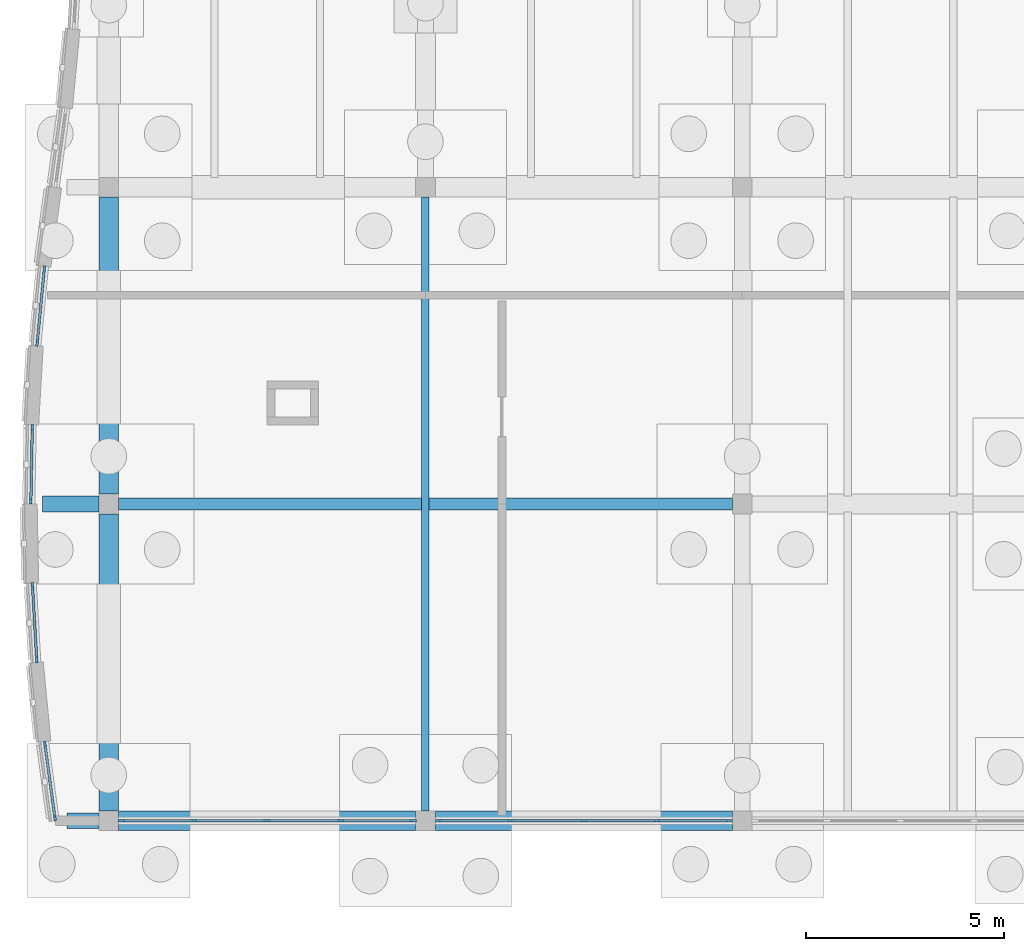
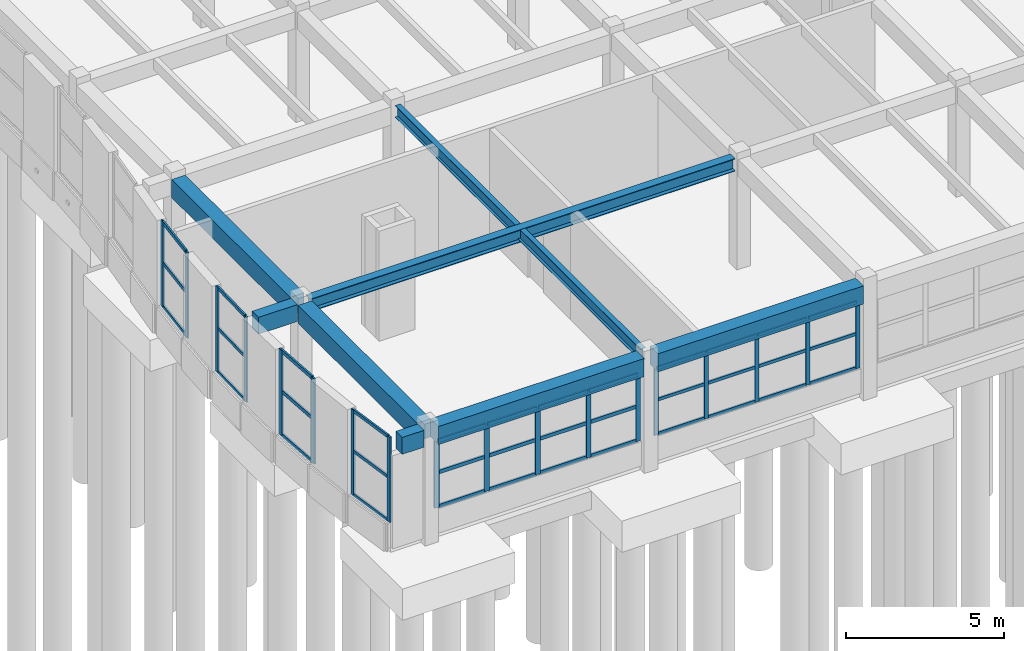
# One storey, part 13 of 99: 54 members, 8 beams, 6 elements without a shape of their own.
"""IFC4 building model written with IfcOpenShell, lengths in metres."""

from ifc_helpers import new_model, si_unit, direction, frame, origin, origin_2d, place, context, subcontext, project, spatial, rectangle, i_section, extrude, material, layer, layer_set, material_profile, profile_set, type_object, element, aggregate, save


model = new_model("IFC4")

# Units and contexts
model_context = context("Model", 3, precision=1e-05, world=origin(), true_north=direction((0.0, 1.0)))
body_context = subcontext(model_context, "Body", "Model", "MODEL_VIEW")
ifc_project = project(units=[si_unit("LENGTHUNIT", "METRE"), si_unit("AREAUNIT", "SQUARE_METRE"), si_unit("VOLUMEUNIT", "CUBIC_METRE"), si_unit("PLANEANGLEUNIT", "RADIAN"), si_unit("MASSUNIT", "GRAM", prefix="KILO")], contexts=[model_context])

# Site, building, storey
site_placement = place(None, origin())
site = spatial("IfcSite", under=ifc_project, at=site_placement, CompositionType="ELEMENT")
building_placement = place(site_placement, origin())
building = spatial("IfcBuilding", under=site, at=building_placement, Name="Tonlespit Floodbar School", CompositionType="ELEMENT")
storey_placement = place(building_placement, origin())
storey = spatial("IfcBuildingStorey", under=building, at=storey_placement, Name="L00", CompositionType="ELEMENT", Elevation=0.0)

# Beams
ifc_material_1 = material(Name="Concrete C40/50", Category="concrete")
ifc_material_profile_1 = material_profile(ifc_material_1, rectangle(XDim=0.39990234375, YDim=0.64990234375, at=origin_2d()), Name="RC 400x650")
ifc_profile_set_1 = profile_set([ifc_material_profile_1], Name="Concrete C40/50")
beam_type_1 = type_object("IfcBeamType", Name="Beam_RC_400x650", PredefinedType="BEAM", material=ifc_profile_set_1)
beam_1_placement = place(storey_placement, frame((3.75, 4.0, 3.9150390625), z_axis=(-1.0, 0.0, 0.0), x_axis=(0.0, -1.0, 0.0)))
element("IfcBeam", 1, at=beam_1_placement, inside=storey, type_object=beam_type_1, Name="L00 west street wave cantilever bracket", PredefinedType="BEAM", context=body_context, shape_type="SweptSolid", body=[
    extrude(rectangle(XDim=0.39990234375, YDim=0.64990234375, at=origin_2d()), origin(), (0.0, 0.0, 1.0), 0.800048828125),
])
beam_2_placement = place(storey_placement, frame((3.75, 12.0, 3.9150390625), z_axis=(-1.0, 0.0, 0.0), x_axis=(0.0, -1.0, 0.0)))
element("IfcBeam", 2, at=beam_2_placement, inside=storey, type_object=beam_type_1, Name="L00 west street wave cantilever bracket", PredefinedType="BEAM", context=body_context, shape_type="SweptSolid", body=[
    extrude(rectangle(XDim=0.39990234375, YDim=0.64990234375, at=origin_2d()), origin(), (0.0, 0.0, 1.0), 1.419189453125),
])
ifc_material_2 = material(Name="Steel S355", Category="steel")
ifc_material_profile_2 = material_profile(ifc_material_2, i_section(OverallWidth=0.18994140625, OverallDepth=0.449951171875, WebThickness=0.009521484375, FlangeThickness=0.0146484375, at=origin_2d()), Name="IPE 450")
ifc_profile_set_2 = profile_set([ifc_material_profile_2], Name="Steel S355")
beam_type_2 = type_object("IfcBeamType", Name="Beam_STL_IPE450", PredefinedType="BEAM", material=ifc_profile_set_2)
beam_3_placement = place(storey_placement, frame((12.0, 4.25, 4.014892578125), z_axis=(0.0, 1.0, 0.0), x_axis=(-1.0, 0.0, 0.0)))
element("IfcBeam", 3, at=beam_3_placement, inside=storey, type_object=beam_type_2, Name="L00 girder 0172", PredefinedType="BEAM", context=body_context, shape_type="SweptSolid", body=[
    extrude(i_section(OverallWidth=0.18994140625, OverallDepth=0.449951171875, WebThickness=0.009521484375, FlangeThickness=0.0146484375, at=origin_2d()), origin(), (0.0, 0.0, 1.0), 15.5),
])

# Curtain wall, members
ifc_material_3 = material(Name="Anodised Aluminium", Category="aluminium")
ifc_layer_1 = layer(ifc_material_3, 0.159912109375)
ifc_layer_set_1 = layer_set([ifc_layer_1], Name="Anodised Aluminium")
curtain_wall_type_1 = type_object("IfcCurtainWallType", Name="CurtainWall_1950x3300", PredefinedType="NOTDEFINED", material=ifc_layer_set_1)
curtain_wall_1_placement = place(storey_placement, origin())
curtain_wall_1 = element("IfcCurtainWall", 4, at=curtain_wall_1_placement, inside=storey, type_object=curtain_wall_type_1, Name="L00 unitised curtain wall 0496", PredefinedType="NOTDEFINED")
ifc_material_profile_3 = material_profile(ifc_material_3, rectangle(XDim=0.06494140625, YDim=0.14990234375, at=origin_2d()), Name="ALU M65x150")
ifc_profile_set_3 = profile_set([ifc_material_profile_3], Name="Anodised Aluminium")
member_type_1 = type_object("IfcMemberType", Name="CW_Mullion_65x150", PredefinedType="MULLION", material=ifc_profile_set_3)
member_1_placement = place(storey_placement, frame((2.64013671875, 4.07177734375, 0.949951171875), z_axis=(0.0, 0.0, 1.0), x_axis=(-0.990894096494, -0.134643564765, 0.0)))
member_1 = element("IfcMember", 5, at=member_1_placement, type_object=member_type_1, Name="CW-01 mullion 1", PredefinedType="MULLION", context=body_context, shape_type="SweptSolid", body=[
    extrude(rectangle(XDim=0.06494140625, YDim=0.14990234375, at=origin_2d()), origin(), (0.0, 0.0, 1.0), 3.2900390625),
])
member_2_placement = place(storey_placement, frame((2.387939453125, 5.92822265625, 0.949951171875), z_axis=(0.0, 0.0, 1.0), x_axis=(-0.990894096494, -0.134643564765, 0.0)))
member_2 = element("IfcMember", 6, at=member_2_placement, type_object=member_type_1, Name="CW-01 mullion 2", PredefinedType="MULLION", context=body_context, shape_type="SweptSolid", body=[
    extrude(rectangle(XDim=0.06494140625, YDim=0.14990234375, at=origin_2d()), origin(), (0.0, 0.0, 1.0), 3.2900390625),
])

ifc_layer_2 = layer(ifc_material_3, 0.159912109375)
ifc_layer_set_2 = layer_set([ifc_layer_2], Name="Anodised Aluminium")
curtain_wall_type_2 = type_object("IfcCurtainWallType", Name="CurtainWall_1900x3300", PredefinedType="NOTDEFINED", material=ifc_layer_set_2)
curtain_wall_2_placement = place(storey_placement, origin())
curtain_wall_2 = element("IfcCurtainWall", 7, at=curtain_wall_2_placement, inside=storey, type_object=curtain_wall_type_2, Name="L00 unitised curtain wall 0498", PredefinedType="NOTDEFINED")
member_3_placement = place(storey_placement, frame((2.0322265625, 12.072509765625, 0.949951171875), z_axis=(0.0, 0.0, 1.0), x_axis=(-0.999815370969, 0.019215201653, 0.0)))
member_3 = element("IfcMember", 8, at=member_3_placement, type_object=member_type_1, Name="CW-02 mullion 1", PredefinedType="MULLION", context=body_context, shape_type="SweptSolid", body=[
    extrude(rectangle(XDim=0.06494140625, YDim=0.14990234375, at=origin_2d()), origin(), (0.0, 0.0, 1.0), 3.2900390625),
])
member_4_placement = place(storey_placement, frame((2.06787109375, 13.927490234375, 0.949951171875), z_axis=(0.0, 0.0, 1.0), x_axis=(-0.999815370969, 0.019215201653, 0.0)))
member_4 = element("IfcMember", 9, at=member_4_placement, type_object=member_type_1, Name="CW-02 mullion 2", PredefinedType="MULLION", context=body_context, shape_type="SweptSolid", body=[
    extrude(rectangle(XDim=0.06494140625, YDim=0.14990234375, at=origin_2d()), origin(), (0.0, 0.0, 1.0), 3.2900390625),
])

ifc_layer_3 = layer(ifc_material_3, 0.159912109375)
ifc_layer_set_3 = layer_set([ifc_layer_3], Name="Anodised Aluminium")
curtain_wall_type_3 = type_object("IfcCurtainWallType", Name="CurtainWall_7400x2600", PredefinedType="NOTDEFINED", material=ifc_layer_set_3)
curtain_wall_3_placement = place(storey_placement, origin())
curtain_wall_3 = element("IfcCurtainWall", 10, at=curtain_wall_3_placement, inside=storey, type_object=curtain_wall_type_3, Name="L00 unitised curtain wall 0506", PredefinedType="NOTDEFINED")
member_5_placement = place(storey_placement, frame((19.677490234375, 4.0, 0.949951171875), z_axis=(0.0, 0.0, 1.0), x_axis=(0.0, -1.0, 0.0)))
member_5 = element("IfcMember", 11, at=member_5_placement, type_object=member_type_1, Name="CW-52 mullion 1", PredefinedType="MULLION", context=body_context, shape_type="SweptSolid", body=[
    extrude(rectangle(XDim=0.06494140625, YDim=0.14990234375, at=origin_2d()), origin(), (0.0, 0.0, 1.0), 2.590087890625),
])
member_6_placement = place(storey_placement, frame((17.85498046875, 4.0, 0.949951171875), z_axis=(0.0, 0.0, 1.0), x_axis=(0.0, -1.0, 0.0)))
member_6 = element("IfcMember", 12, at=member_6_placement, type_object=member_type_1, Name="CW-52 mullion 2", PredefinedType="MULLION", context=body_context, shape_type="SweptSolid", body=[
    extrude(rectangle(XDim=0.06494140625, YDim=0.14990234375, at=origin_2d()), origin(), (0.0, 0.0, 1.0), 2.590087890625),
])
member_7_placement = place(storey_placement, frame((16.0, 4.0, 0.949951171875), z_axis=(0.0, 0.0, 1.0), x_axis=(0.0, -1.0, 0.0)))
member_7 = element("IfcMember", 13, at=member_7_placement, type_object=member_type_1, Name="CW-52 mullion 3", PredefinedType="MULLION", context=body_context, shape_type="SweptSolid", body=[
    extrude(rectangle(XDim=0.06494140625, YDim=0.14990234375, at=origin_2d()), origin(), (0.0, 0.0, 1.0), 2.590087890625),
])
member_8_placement = place(storey_placement, frame((14.14501953125, 4.0, 0.949951171875), z_axis=(0.0, 0.0, 1.0), x_axis=(0.0, -1.0, 0.0)))
member_8 = element("IfcMember", 14, at=member_8_placement, type_object=member_type_1, Name="CW-52 mullion 4", PredefinedType="MULLION", context=body_context, shape_type="SweptSolid", body=[
    extrude(rectangle(XDim=0.06494140625, YDim=0.14990234375, at=origin_2d()), origin(), (0.0, 0.0, 1.0), 2.590087890625),
])
member_9_placement = place(storey_placement, frame((12.322509765625, 4.0, 0.949951171875), z_axis=(0.0, 0.0, 1.0), x_axis=(0.0, -1.0, 0.0)))
member_9 = element("IfcMember", 15, at=member_9_placement, type_object=member_type_1, Name="CW-52 mullion 5", PredefinedType="MULLION", context=body_context, shape_type="SweptSolid", body=[
    extrude(rectangle(XDim=0.06494140625, YDim=0.14990234375, at=origin_2d()), origin(), (0.0, 0.0, 1.0), 2.590087890625),
])

curtain_wall_4_placement = place(storey_placement, origin())
curtain_wall_4 = element("IfcCurtainWall", 16, at=curtain_wall_4_placement, inside=storey, type_object=curtain_wall_type_2, Name="L00 unitised curtain wall 0497", PredefinedType="NOTDEFINED")
ifc_material_profile_4 = material_profile(ifc_material_3, rectangle(XDim=0.06494140625, YDim=0.179931640625, at=origin_2d()), Name="ALU M65x180")
ifc_profile_set_4 = profile_set([ifc_material_profile_4], Name="Anodised Aluminium")
member_type_2 = type_object("IfcMemberType", Name="CW_Mullion_65x180", PredefinedType="MULLION", material=ifc_profile_set_4)
member_10_placement = place(storey_placement, frame((2.180908203125, 8.072265625, 0.949951171875), z_axis=(0.0, 0.0, 1.0), x_axis=(-0.998333381227, -0.057710137129, 0.0)))
member_10 = element("IfcMember", 17, at=member_10_placement, type_object=member_type_2, Name="CW-02 mullion 1", PredefinedType="MULLION", context=body_context, shape_type="SweptSolid", body=[
    extrude(rectangle(XDim=0.06494140625, YDim=0.179931640625, at=origin_2d()), origin(), (0.0, 0.0, 1.0), 3.2900390625),
])
member_11_placement = place(storey_placement, frame((2.073486328125, 9.927734375, 0.949951171875), z_axis=(0.0, 0.0, 1.0), x_axis=(-0.998333381227, -0.057710137129, 0.0)))
member_11 = element("IfcMember", 18, at=member_11_placement, type_object=member_type_2, Name="CW-02 mullion 2", PredefinedType="MULLION", context=body_context, shape_type="SweptSolid", body=[
    extrude(rectangle(XDim=0.06494140625, YDim=0.179931640625, at=origin_2d()), origin(), (0.0, 0.0, 1.0), 3.2900390625),
])

curtain_wall_5_placement = place(storey_placement, origin())
curtain_wall_5 = element("IfcCurtainWall", 19, at=curtain_wall_5_placement, inside=storey, type_object=curtain_wall_type_1, Name="L00 unitised curtain wall 0499", PredefinedType="NOTDEFINED")
member_12_placement = place(storey_placement, frame((2.19189453125, 16.072265625, 0.949951171875), z_axis=(0.0, 0.0, 1.0), x_axis=(-0.995362188546, 0.096198303585, 0.0)))
member_12 = element("IfcMember", 20, at=member_12_placement, type_object=member_type_2, Name="CW-01 mullion 1", PredefinedType="MULLION", context=body_context, shape_type="SweptSolid", body=[
    extrude(rectangle(XDim=0.06494140625, YDim=0.179931640625, at=origin_2d()), origin(), (0.0, 0.0, 1.0), 3.2900390625),
])
member_13_placement = place(storey_placement, frame((2.371337890625, 17.927734375, 0.949951171875), z_axis=(0.0, 0.0, 1.0), x_axis=(-0.995362188546, 0.096198303585, 0.0)))
member_13 = element("IfcMember", 21, at=member_13_placement, type_object=member_type_2, Name="CW-01 mullion 2", PredefinedType="MULLION", context=body_context, shape_type="SweptSolid", body=[
    extrude(rectangle(XDim=0.06494140625, YDim=0.179931640625, at=origin_2d()), origin(), (0.0, 0.0, 1.0), 3.2900390625),
])

curtain_wall_6_placement = place(storey_placement, origin())
curtain_wall_6 = element("IfcCurtainWall", 22, at=curtain_wall_6_placement, inside=storey, type_object=curtain_wall_type_3, Name="L00 unitised curtain wall 0507", PredefinedType="NOTDEFINED")
member_14_placement = place(storey_placement, frame((11.677490234375, 4.0, 0.949951171875), z_axis=(0.0, 0.0, 1.0), x_axis=(0.0, -1.0, 0.0)))
member_14 = element("IfcMember", 23, at=member_14_placement, type_object=member_type_2, Name="CW-52 mullion 1", PredefinedType="MULLION", context=body_context, shape_type="SweptSolid", body=[
    extrude(rectangle(XDim=0.06494140625, YDim=0.179931640625, at=origin_2d()), origin(), (0.0, 0.0, 1.0), 2.590087890625),
])
member_15_placement = place(storey_placement, frame((9.85498046875, 4.0, 0.949951171875), z_axis=(0.0, 0.0, 1.0), x_axis=(0.0, -1.0, 0.0)))
member_15 = element("IfcMember", 24, at=member_15_placement, type_object=member_type_2, Name="CW-52 mullion 2", PredefinedType="MULLION", context=body_context, shape_type="SweptSolid", body=[
    extrude(rectangle(XDim=0.06494140625, YDim=0.179931640625, at=origin_2d()), origin(), (0.0, 0.0, 1.0), 2.590087890625),
])
member_16_placement = place(storey_placement, frame((8.0, 4.0, 0.949951171875), z_axis=(0.0, 0.0, 1.0), x_axis=(0.0, -1.0, 0.0)))
member_16 = element("IfcMember", 25, at=member_16_placement, type_object=member_type_2, Name="CW-52 mullion 3", PredefinedType="MULLION", context=body_context, shape_type="SweptSolid", body=[
    extrude(rectangle(XDim=0.06494140625, YDim=0.179931640625, at=origin_2d()), origin(), (0.0, 0.0, 1.0), 2.590087890625),
])
member_17_placement = place(storey_placement, frame((6.14501953125, 4.0, 0.949951171875), z_axis=(0.0, 0.0, 1.0), x_axis=(0.0, -1.0, 0.0)))
member_17 = element("IfcMember", 26, at=member_17_placement, type_object=member_type_2, Name="CW-52 mullion 4", PredefinedType="MULLION", context=body_context, shape_type="SweptSolid", body=[
    extrude(rectangle(XDim=0.06494140625, YDim=0.179931640625, at=origin_2d()), origin(), (0.0, 0.0, 1.0), 2.590087890625),
])
member_18_placement = place(storey_placement, frame((4.322509765625, 4.0, 0.949951171875), z_axis=(0.0, 0.0, 1.0), x_axis=(0.0, -1.0, 0.0)))
member_18 = element("IfcMember", 27, at=member_18_placement, type_object=member_type_2, Name="CW-52 mullion 5", PredefinedType="MULLION", context=body_context, shape_type="SweptSolid", body=[
    extrude(rectangle(XDim=0.06494140625, YDim=0.179931640625, at=origin_2d()), origin(), (0.0, 0.0, 1.0), 2.590087890625),
])

# Member
ifc_material_profile_5 = material_profile(ifc_material_3, rectangle(XDim=0.06494140625, YDim=0.1201171875, at=origin_2d()), Name="ALU T65x120")
ifc_profile_set_5 = profile_set([ifc_material_profile_5], Name="Anodised Aluminium")
member_type_3 = type_object("IfcMemberType", Name="CW_Transom_65x120", PredefinedType="USERDEFINED", material=ifc_profile_set_5)
member_19_placement = place(storey_placement, frame((2.6357421875, 4.10400390625, 0.982421875), z_axis=(-0.1345950926, 0.990900681728, 0.0), x_axis=(-0.990900681728, -0.1345950926, 0.0)))
member_19 = element("IfcMember", 28, at=member_19_placement, type_object=member_type_3, Name="CW-01 transom 1.1", ObjectType="TRANSOM", PredefinedType="USERDEFINED", context=body_context, shape_type="SweptSolid", body=[
    extrude(rectangle(XDim=0.06494140625, YDim=0.1201171875, at=origin_2d()), origin(), (0.0, 0.0, 1.0), 1.808349609375),
])

member_20_placement = place(storey_placement, frame((2.6357421875, 4.10400390625, 2.660888671875), z_axis=(-0.1345950926, 0.990900681728, 0.0), x_axis=(-0.990900681728, -0.1345950926, 0.0)))
member_20 = element("IfcMember", 29, at=member_20_placement, type_object=member_type_3, Name="CW-01 transom 1.2", ObjectType="TRANSOM", PredefinedType="USERDEFINED", context=body_context, shape_type="SweptSolid", body=[
    extrude(rectangle(XDim=0.06494140625, YDim=0.1201171875, at=origin_2d()), origin(), (0.0, 0.0, 1.0), 1.808349609375),
])

member_21_placement = place(storey_placement, frame((2.6357421875, 4.10400390625, 4.20751953125), z_axis=(-0.1345950926, 0.990900681728, 0.0), x_axis=(-0.990900681728, -0.1345950926, 0.0)))
member_21 = element("IfcMember", 30, at=member_21_placement, type_object=member_type_3, Name="CW-01 transom 1.3", ObjectType="TRANSOM", PredefinedType="USERDEFINED", context=body_context, shape_type="SweptSolid", body=[
    extrude(rectangle(XDim=0.06494140625, YDim=0.1201171875, at=origin_2d()), origin(), (0.0, 0.0, 1.0), 1.808349609375),
])

aggregate(curtain_wall_1, [member_1, member_2, member_19, member_20, member_21])

member_22_placement = place(storey_placement, frame((2.032958984375, 12.10498046875, 0.982421875), z_axis=(0.019227214231, 0.99981514003, 0.0), x_axis=(-0.99981514003, 0.019227214231, 0.0)))
member_22 = element("IfcMember", 31, at=member_22_placement, type_object=member_type_3, Name="CW-02 transom 1.1", ObjectType="TRANSOM", PredefinedType="USERDEFINED", context=body_context, shape_type="SweptSolid", body=[
    extrude(rectangle(XDim=0.06494140625, YDim=0.1201171875, at=origin_2d()), origin(), (0.0, 0.0, 1.0), 1.790283203125),
])

member_23_placement = place(storey_placement, frame((2.032958984375, 12.10498046875, 2.660888671875), z_axis=(0.019227214231, 0.99981514003, 0.0), x_axis=(-0.99981514003, 0.019227214231, 0.0)))
member_23 = element("IfcMember", 32, at=member_23_placement, type_object=member_type_3, Name="CW-02 transom 1.2", ObjectType="TRANSOM", PredefinedType="USERDEFINED", context=body_context, shape_type="SweptSolid", body=[
    extrude(rectangle(XDim=0.06494140625, YDim=0.1201171875, at=origin_2d()), origin(), (0.0, 0.0, 1.0), 1.790283203125),
])

member_24_placement = place(storey_placement, frame((2.032958984375, 12.10498046875, 4.20751953125), z_axis=(0.019227214231, 0.99981514003, 0.0), x_axis=(-0.99981514003, 0.019227214231, 0.0)))
member_24 = element("IfcMember", 33, at=member_24_placement, type_object=member_type_3, Name="CW-02 transom 1.3", ObjectType="TRANSOM", PredefinedType="USERDEFINED", context=body_context, shape_type="SweptSolid", body=[
    extrude(rectangle(XDim=0.06494140625, YDim=0.1201171875, at=origin_2d()), origin(), (0.0, 0.0, 1.0), 1.790283203125),
])

aggregate(curtain_wall_2, [member_3, member_4, member_22, member_23, member_24])

member_25_placement = place(storey_placement, frame((19.64501953125, 4.0, 0.982421875), z_axis=(-1.0, 0.0, 0.0), x_axis=(0.0, -1.0, 0.0)))
member_25 = element("IfcMember", 34, at=member_25_placement, type_object=member_type_3, Name="CW-52 transom 1.1", ObjectType="TRANSOM", PredefinedType="USERDEFINED", context=body_context, shape_type="SweptSolid", body=[
    extrude(rectangle(XDim=0.06494140625, YDim=0.1201171875, at=origin_2d()), origin(), (0.0, 0.0, 1.0), 1.757568359375),
])

member_26_placement = place(storey_placement, frame((19.64501953125, 4.0, 2.296875), z_axis=(-1.0, 0.0, 0.0), x_axis=(0.0, -1.0, 0.0)))
member_26 = element("IfcMember", 35, at=member_26_placement, type_object=member_type_3, Name="CW-52 transom 1.2", ObjectType="TRANSOM", PredefinedType="USERDEFINED", context=body_context, shape_type="SweptSolid", body=[
    extrude(rectangle(XDim=0.06494140625, YDim=0.1201171875, at=origin_2d()), origin(), (0.0, 0.0, 1.0), 1.757568359375),
])

member_27_placement = place(storey_placement, frame((19.64501953125, 4.0, 3.507568359375), z_axis=(-1.0, 0.0, 0.0), x_axis=(0.0, -1.0, 0.0)))
member_27 = element("IfcMember", 36, at=member_27_placement, type_object=member_type_3, Name="CW-52 transom 1.3", ObjectType="TRANSOM", PredefinedType="USERDEFINED", context=body_context, shape_type="SweptSolid", body=[
    extrude(rectangle(XDim=0.06494140625, YDim=0.1201171875, at=origin_2d()), origin(), (0.0, 0.0, 1.0), 1.757568359375),
])

member_28_placement = place(storey_placement, frame((17.822509765625, 4.0, 0.982421875), z_axis=(-1.0, 0.0, 0.0), x_axis=(0.0, -1.0, 0.0)))
member_28 = element("IfcMember", 37, at=member_28_placement, type_object=member_type_3, Name="CW-52 transom 2.1", ObjectType="TRANSOM", PredefinedType="USERDEFINED", context=body_context, shape_type="SweptSolid", body=[
    extrude(rectangle(XDim=0.06494140625, YDim=0.1201171875, at=origin_2d()), origin(), (0.0, 0.0, 1.0), 1.7900390625),
])

member_29_placement = place(storey_placement, frame((17.822509765625, 4.0, 2.296875), z_axis=(-1.0, 0.0, 0.0), x_axis=(0.0, -1.0, 0.0)))
member_29 = element("IfcMember", 38, at=member_29_placement, type_object=member_type_3, Name="CW-52 transom 2.2", ObjectType="TRANSOM", PredefinedType="USERDEFINED", context=body_context, shape_type="SweptSolid", body=[
    extrude(rectangle(XDim=0.06494140625, YDim=0.1201171875, at=origin_2d()), origin(), (0.0, 0.0, 1.0), 1.7900390625),
])

member_30_placement = place(storey_placement, frame((17.822509765625, 4.0, 3.507568359375), z_axis=(-1.0, 0.0, 0.0), x_axis=(0.0, -1.0, 0.0)))
member_30 = element("IfcMember", 39, at=member_30_placement, type_object=member_type_3, Name="CW-52 transom 2.3", ObjectType="TRANSOM", PredefinedType="USERDEFINED", context=body_context, shape_type="SweptSolid", body=[
    extrude(rectangle(XDim=0.06494140625, YDim=0.1201171875, at=origin_2d()), origin(), (0.0, 0.0, 1.0), 1.7900390625),
])

member_31_placement = place(storey_placement, frame((15.967529296875, 4.0, 0.982421875), z_axis=(-1.0, 0.0, 0.0), x_axis=(0.0, -1.0, 0.0)))
member_31 = element("IfcMember", 40, at=member_31_placement, type_object=member_type_3, Name="CW-52 transom 3.1", ObjectType="TRANSOM", PredefinedType="USERDEFINED", context=body_context, shape_type="SweptSolid", body=[
    extrude(rectangle(XDim=0.06494140625, YDim=0.1201171875, at=origin_2d()), origin(), (0.0, 0.0, 1.0), 1.7900390625),
])

member_32_placement = place(storey_placement, frame((15.967529296875, 4.0, 2.296875), z_axis=(-1.0, 0.0, 0.0), x_axis=(0.0, -1.0, 0.0)))
member_32 = element("IfcMember", 41, at=member_32_placement, type_object=member_type_3, Name="CW-52 transom 3.2", ObjectType="TRANSOM", PredefinedType="USERDEFINED", context=body_context, shape_type="SweptSolid", body=[
    extrude(rectangle(XDim=0.06494140625, YDim=0.1201171875, at=origin_2d()), origin(), (0.0, 0.0, 1.0), 1.7900390625),
])

member_33_placement = place(storey_placement, frame((15.967529296875, 4.0, 3.507568359375), z_axis=(-1.0, 0.0, 0.0), x_axis=(0.0, -1.0, 0.0)))
member_33 = element("IfcMember", 42, at=member_33_placement, type_object=member_type_3, Name="CW-52 transom 3.3", ObjectType="TRANSOM", PredefinedType="USERDEFINED", context=body_context, shape_type="SweptSolid", body=[
    extrude(rectangle(XDim=0.06494140625, YDim=0.1201171875, at=origin_2d()), origin(), (0.0, 0.0, 1.0), 1.7900390625),
])

member_34_placement = place(storey_placement, frame((14.112548828125, 4.0, 0.982421875), z_axis=(-1.0, 0.0, 0.0), x_axis=(0.0, -1.0, 0.0)))
member_34 = element("IfcMember", 43, at=member_34_placement, type_object=member_type_3, Name="CW-52 transom 4.1", ObjectType="TRANSOM", PredefinedType="USERDEFINED", context=body_context, shape_type="SweptSolid", body=[
    extrude(rectangle(XDim=0.06494140625, YDim=0.1201171875, at=origin_2d()), origin(), (0.0, 0.0, 1.0), 1.757568359375),
])

member_35_placement = place(storey_placement, frame((14.112548828125, 4.0, 2.296875), z_axis=(-1.0, 0.0, 0.0), x_axis=(0.0, -1.0, 0.0)))
member_35 = element("IfcMember", 44, at=member_35_placement, type_object=member_type_3, Name="CW-52 transom 4.2", ObjectType="TRANSOM", PredefinedType="USERDEFINED", context=body_context, shape_type="SweptSolid", body=[
    extrude(rectangle(XDim=0.06494140625, YDim=0.1201171875, at=origin_2d()), origin(), (0.0, 0.0, 1.0), 1.757568359375),
])

member_36_placement = place(storey_placement, frame((14.112548828125, 4.0, 3.507568359375), z_axis=(-1.0, 0.0, 0.0), x_axis=(0.0, -1.0, 0.0)))
member_36 = element("IfcMember", 45, at=member_36_placement, type_object=member_type_3, Name="CW-52 transom 4.3", ObjectType="TRANSOM", PredefinedType="USERDEFINED", context=body_context, shape_type="SweptSolid", body=[
    extrude(rectangle(XDim=0.06494140625, YDim=0.1201171875, at=origin_2d()), origin(), (0.0, 0.0, 1.0), 1.757568359375),
])

aggregate(curtain_wall_3, [member_5, member_6, member_7, member_8, member_9, member_25, member_26, member_27, member_28, member_29, member_30, member_31, member_32, member_33, member_34, member_35, member_36])

ifc_material_profile_6 = material_profile(ifc_material_3, rectangle(XDim=0.06494140625, YDim=0.139892578125, at=origin_2d()), Name="ALU T65x140")
ifc_profile_set_6 = profile_set([ifc_material_profile_6], Name="Anodised Aluminium")
member_type_4 = type_object("IfcMemberType", Name="CW_Transom_65x140", PredefinedType="USERDEFINED", material=ifc_profile_set_6)
member_37_placement = place(storey_placement, frame((2.178955078125, 8.104736328125, 0.982421875), z_axis=(-0.057716552548, 0.998333010354, 0.0), x_axis=(-0.998333010354, -0.057716552548, 0.0)))
member_37 = element("IfcMember", 46, at=member_37_placement, type_object=member_type_4, Name="CW-02 transom 1.1", ObjectType="TRANSOM", PredefinedType="USERDEFINED", context=body_context, shape_type="SweptSolid", body=[
    extrude(rectangle(XDim=0.06494140625, YDim=0.139892578125, at=origin_2d()), origin(), (0.0, 0.0, 1.0), 1.79345703125),
])

member_38_placement = place(storey_placement, frame((2.178955078125, 8.104736328125, 2.660888671875), z_axis=(-0.057716552548, 0.998333010354, 0.0), x_axis=(-0.998333010354, -0.057716552548, 0.0)))
member_38 = element("IfcMember", 47, at=member_38_placement, type_object=member_type_4, Name="CW-02 transom 1.2", ObjectType="TRANSOM", PredefinedType="USERDEFINED", context=body_context, shape_type="SweptSolid", body=[
    extrude(rectangle(XDim=0.06494140625, YDim=0.139892578125, at=origin_2d()), origin(), (0.0, 0.0, 1.0), 1.79345703125),
])

member_39_placement = place(storey_placement, frame((2.178955078125, 8.104736328125, 4.20751953125), z_axis=(-0.057716552548, 0.998333010354, 0.0), x_axis=(-0.998333010354, -0.057716552548, 0.0)))
member_39 = element("IfcMember", 48, at=member_39_placement, type_object=member_type_4, Name="CW-02 transom 1.3", ObjectType="TRANSOM", PredefinedType="USERDEFINED", context=body_context, shape_type="SweptSolid", body=[
    extrude(rectangle(XDim=0.06494140625, YDim=0.139892578125, at=origin_2d()), origin(), (0.0, 0.0, 1.0), 1.79345703125),
])

aggregate(curtain_wall_4, [member_10, member_11, member_37, member_38, member_39])

member_40_placement = place(storey_placement, frame((2.195068359375, 16.1044921875, 0.982421875), z_axis=(0.096198443578, 0.995362175016, 0.0), x_axis=(-0.995362175016, 0.096198443578, 0.0)))
member_40 = element("IfcMember", 49, at=member_40_placement, type_object=member_type_4, Name="CW-01 transom 1.1", ObjectType="TRANSOM", PredefinedType="USERDEFINED", context=body_context, shape_type="SweptSolid", body=[
    extrude(rectangle(XDim=0.06494140625, YDim=0.139892578125, at=origin_2d()), origin(), (0.0, 0.0, 1.0), 1.79931640625),
])

member_41_placement = place(storey_placement, frame((2.195068359375, 16.1044921875, 2.660888671875), z_axis=(0.096198443578, 0.995362175016, 0.0), x_axis=(-0.995362175016, 0.096198443578, 0.0)))
member_41 = element("IfcMember", 50, at=member_41_placement, type_object=member_type_4, Name="CW-01 transom 1.2", ObjectType="TRANSOM", PredefinedType="USERDEFINED", context=body_context, shape_type="SweptSolid", body=[
    extrude(rectangle(XDim=0.06494140625, YDim=0.139892578125, at=origin_2d()), origin(), (0.0, 0.0, 1.0), 1.79931640625),
])

member_42_placement = place(storey_placement, frame((2.195068359375, 16.1044921875, 4.20751953125), z_axis=(0.096198443578, 0.995362175016, 0.0), x_axis=(-0.995362175016, 0.096198443578, 0.0)))
member_42 = element("IfcMember", 51, at=member_42_placement, type_object=member_type_4, Name="CW-01 transom 1.3", ObjectType="TRANSOM", PredefinedType="USERDEFINED", context=body_context, shape_type="SweptSolid", body=[
    extrude(rectangle(XDim=0.06494140625, YDim=0.139892578125, at=origin_2d()), origin(), (0.0, 0.0, 1.0), 1.79931640625),
])

aggregate(curtain_wall_5, [member_12, member_13, member_40, member_41, member_42])

member_43_placement = place(storey_placement, frame((11.64501953125, 4.0, 0.982421875), z_axis=(-1.0, 0.0, 0.0), x_axis=(0.0, -1.0, 0.0)))
member_43 = element("IfcMember", 52, at=member_43_placement, type_object=member_type_4, Name="CW-52 transom 1.1", ObjectType="TRANSOM", PredefinedType="USERDEFINED", context=body_context, shape_type="SweptSolid", body=[
    extrude(rectangle(XDim=0.06494140625, YDim=0.139892578125, at=origin_2d()), origin(), (0.0, 0.0, 1.0), 1.757568359375),
])

member_44_placement = place(storey_placement, frame((11.64501953125, 4.0, 2.296875), z_axis=(-1.0, 0.0, 0.0), x_axis=(0.0, -1.0, 0.0)))
member_44 = element("IfcMember", 53, at=member_44_placement, type_object=member_type_4, Name="CW-52 transom 1.2", ObjectType="TRANSOM", PredefinedType="USERDEFINED", context=body_context, shape_type="SweptSolid", body=[
    extrude(rectangle(XDim=0.06494140625, YDim=0.139892578125, at=origin_2d()), origin(), (0.0, 0.0, 1.0), 1.757568359375),
])

member_45_placement = place(storey_placement, frame((11.64501953125, 4.0, 3.507568359375), z_axis=(-1.0, 0.0, 0.0), x_axis=(0.0, -1.0, 0.0)))
member_45 = element("IfcMember", 54, at=member_45_placement, type_object=member_type_4, Name="CW-52 transom 1.3", ObjectType="TRANSOM", PredefinedType="USERDEFINED", context=body_context, shape_type="SweptSolid", body=[
    extrude(rectangle(XDim=0.06494140625, YDim=0.139892578125, at=origin_2d()), origin(), (0.0, 0.0, 1.0), 1.757568359375),
])

member_46_placement = place(storey_placement, frame((9.822509765625, 4.0, 0.982421875), z_axis=(-1.0, 0.0, 0.0), x_axis=(0.0, -1.0, 0.0)))
member_46 = element("IfcMember", 55, at=member_46_placement, type_object=member_type_4, Name="CW-52 transom 2.1", ObjectType="TRANSOM", PredefinedType="USERDEFINED", context=body_context, shape_type="SweptSolid", body=[
    extrude(rectangle(XDim=0.06494140625, YDim=0.139892578125, at=origin_2d()), origin(), (0.0, 0.0, 1.0), 1.7900390625),
])

member_47_placement = place(storey_placement, frame((9.822509765625, 4.0, 2.296875), z_axis=(-1.0, 0.0, 0.0), x_axis=(0.0, -1.0, 0.0)))
member_47 = element("IfcMember", 56, at=member_47_placement, type_object=member_type_4, Name="CW-52 transom 2.2", ObjectType="TRANSOM", PredefinedType="USERDEFINED", context=body_context, shape_type="SweptSolid", body=[
    extrude(rectangle(XDim=0.06494140625, YDim=0.139892578125, at=origin_2d()), origin(), (0.0, 0.0, 1.0), 1.7900390625),
])

member_48_placement = place(storey_placement, frame((9.822509765625, 4.0, 3.507568359375), z_axis=(-1.0, 0.0, 0.0), x_axis=(0.0, -1.0, 0.0)))
member_48 = element("IfcMember", 57, at=member_48_placement, type_object=member_type_4, Name="CW-52 transom 2.3", ObjectType="TRANSOM", PredefinedType="USERDEFINED", context=body_context, shape_type="SweptSolid", body=[
    extrude(rectangle(XDim=0.06494140625, YDim=0.139892578125, at=origin_2d()), origin(), (0.0, 0.0, 1.0), 1.7900390625),
])

member_49_placement = place(storey_placement, frame((7.967529296875, 4.0, 0.982421875), z_axis=(-1.0, 0.0, 0.0), x_axis=(0.0, -1.0, 0.0)))
member_49 = element("IfcMember", 58, at=member_49_placement, type_object=member_type_4, Name="CW-52 transom 3.1", ObjectType="TRANSOM", PredefinedType="USERDEFINED", context=body_context, shape_type="SweptSolid", body=[
    extrude(rectangle(XDim=0.06494140625, YDim=0.139892578125, at=origin_2d()), origin(), (0.0, 0.0, 1.0), 1.7900390625),
])

member_50_placement = place(storey_placement, frame((7.967529296875, 4.0, 2.296875), z_axis=(-1.0, 0.0, 0.0), x_axis=(0.0, -1.0, 0.0)))
member_50 = element("IfcMember", 59, at=member_50_placement, type_object=member_type_4, Name="CW-52 transom 3.2", ObjectType="TRANSOM", PredefinedType="USERDEFINED", context=body_context, shape_type="SweptSolid", body=[
    extrude(rectangle(XDim=0.06494140625, YDim=0.139892578125, at=origin_2d()), origin(), (0.0, 0.0, 1.0), 1.7900390625),
])

member_51_placement = place(storey_placement, frame((7.967529296875, 4.0, 3.507568359375), z_axis=(-1.0, 0.0, 0.0), x_axis=(0.0, -1.0, 0.0)))
member_51 = element("IfcMember", 60, at=member_51_placement, type_object=member_type_4, Name="CW-52 transom 3.3", ObjectType="TRANSOM", PredefinedType="USERDEFINED", context=body_context, shape_type="SweptSolid", body=[
    extrude(rectangle(XDim=0.06494140625, YDim=0.139892578125, at=origin_2d()), origin(), (0.0, 0.0, 1.0), 1.7900390625),
])

member_52_placement = place(storey_placement, frame((6.112548828125, 4.0, 0.982421875), z_axis=(-1.0, 0.0, 0.0), x_axis=(0.0, -1.0, 0.0)))
member_52 = element("IfcMember", 61, at=member_52_placement, type_object=member_type_4, Name="CW-52 transom 4.1", ObjectType="TRANSOM", PredefinedType="USERDEFINED", context=body_context, shape_type="SweptSolid", body=[
    extrude(rectangle(XDim=0.06494140625, YDim=0.139892578125, at=origin_2d()), origin(), (0.0, 0.0, 1.0), 1.757568359375),
])

member_53_placement = place(storey_placement, frame((6.112548828125, 4.0, 2.296875), z_axis=(-1.0, 0.0, 0.0), x_axis=(0.0, -1.0, 0.0)))
member_53 = element("IfcMember", 62, at=member_53_placement, type_object=member_type_4, Name="CW-52 transom 4.2", ObjectType="TRANSOM", PredefinedType="USERDEFINED", context=body_context, shape_type="SweptSolid", body=[
    extrude(rectangle(XDim=0.06494140625, YDim=0.139892578125, at=origin_2d()), origin(), (0.0, 0.0, 1.0), 1.757568359375),
])

member_54_placement = place(storey_placement, frame((6.112548828125, 4.0, 3.507568359375), z_axis=(-1.0, 0.0, 0.0), x_axis=(0.0, -1.0, 0.0)))
member_54 = element("IfcMember", 63, at=member_54_placement, type_object=member_type_4, Name="CW-52 transom 4.3", ObjectType="TRANSOM", PredefinedType="USERDEFINED", context=body_context, shape_type="SweptSolid", body=[
    extrude(rectangle(XDim=0.06494140625, YDim=0.139892578125, at=origin_2d()), origin(), (0.0, 0.0, 1.0), 1.757568359375),
])

aggregate(curtain_wall_6, [member_14, member_15, member_16, member_17, member_18, member_43, member_44, member_45, member_46, member_47, member_48, member_49, member_50, member_51, member_52, member_53, member_54])

# Beams
ifc_material_profile_7 = material_profile(ifc_material_2, i_section(OverallWidth=0.300048828125, OverallDepth=0.489990234375, WebThickness=0.011962890625, FlangeThickness=0.02294921875, at=origin_2d()), Name="HEA 500")
ifc_profile_set_7 = profile_set([ifc_material_profile_7], Name="Steel S355")
beam_type_3 = type_object("IfcBeamType", Name="RingBeam_STL_HEA500", PredefinedType="BEAM", material=ifc_profile_set_7)
beam_4_placement = place(storey_placement, frame((4.25, 12.0, 3.9951171875), z_axis=(1.0, 0.0, 0.0), x_axis=(0.0, 1.0, 0.0)))
element("IfcBeam", 64, at=beam_4_placement, inside=storey, type_object=beam_type_3, Name="L00 girder 0006", PredefinedType="BEAM", context=body_context, shape_type="SweptSolid", body=[
    extrude(i_section(OverallWidth=0.300048828125, OverallDepth=0.489990234375, WebThickness=0.011962890625, FlangeThickness=0.02294921875, at=origin_2d()), origin(), (0.0, 0.0, 1.0), 15.5),
])
ifc_material_profile_8 = material_profile(ifc_material_1, rectangle(XDim=0.5, YDim=0.699951171875, at=origin_2d()), Name="RC 500x700")
ifc_profile_set_8 = profile_set([ifc_material_profile_8], Name="Concrete C40/50")
beam_type_4 = type_object("IfcBeamType", Name="Spandrel_RC_500x700", PredefinedType="SPANDREL", material=ifc_profile_set_8)
for number, where, z_axis, x_axis, name in (
    (65, (4.25, 4.0, 3.889892578125), (1.0, 0.0, 0.0), (0.0, 1.0, 0.0), "L00 girder 0001"),
    (66, (12.25, 4.0, 3.889892578125), (1.0, 0.0, 0.0), (0.0, 1.0, 0.0), "L00 girder 0002"),
    (67, (4.0, 4.25, 3.889892578125), (0.0, 1.0, 0.0), (-1.0, 0.0, 0.0), "L00 girder 0168"),
    (68, (4.0, 12.25, 3.889892578125), (0.0, 1.0, 0.0), (-1.0, 0.0, 0.0), "L00 girder 0169"),
):
    element("IfcBeam", number, at=place(storey_placement, frame(where, z_axis=z_axis, x_axis=x_axis)), inside=storey, type_object=beam_type_4, Name=name, PredefinedType="SPANDREL", context=body_context, shape_type="SweptSolid", body=[
        extrude(rectangle(XDim=0.5, YDim=0.699951171875, at=origin_2d()), origin(), (0.0, 0.0, 1.0), 7.5),
    ])

save(model, "model.ifc")
